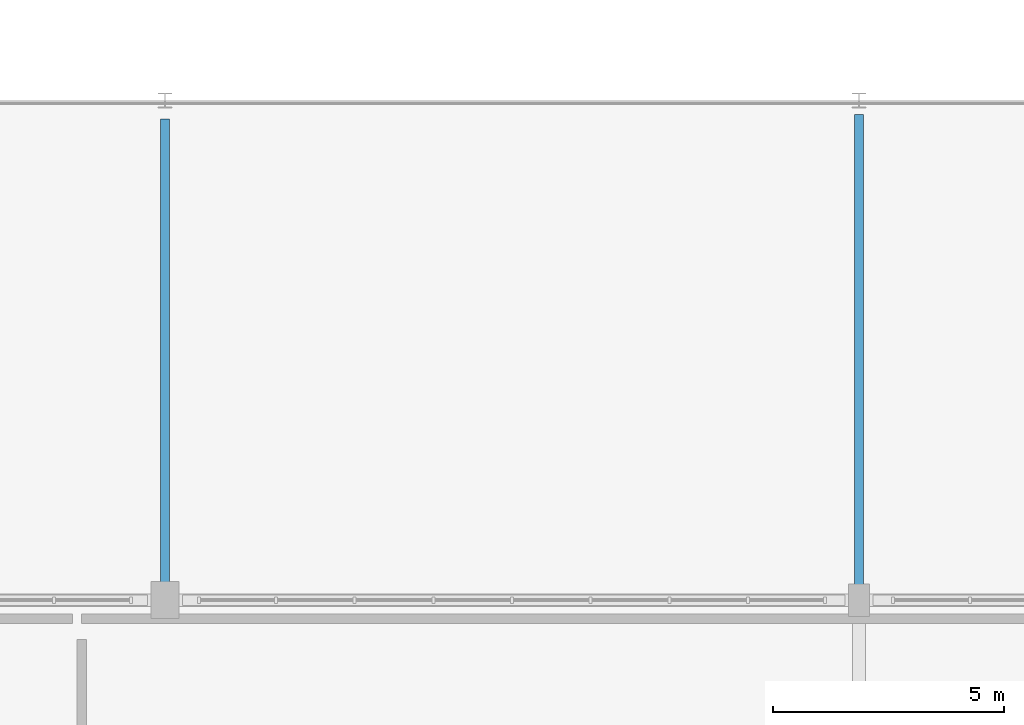
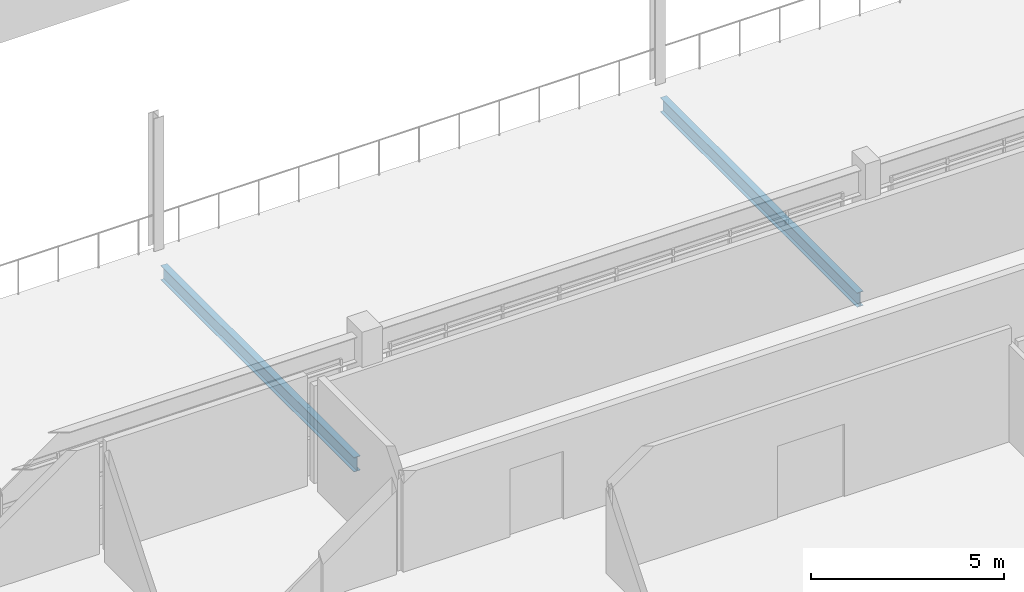
# One storey, part 12 of 92: 2 beams.
"""IFC4 building model written with IfcOpenShell, lengths in metres."""

from ifc_helpers import new_model, si_unit, direction, frame, origin, origin_2d, place, context, subcontext, project, spatial, i_section, extrude, material, material_profile, profile_set, type_object, element, save


model = new_model("IFC4")

# Units and contexts
model_context = context("Model", 3, precision=1e-05, world=origin(), true_north=direction((0.0, 1.0)))
body_context = subcontext(model_context, "Body", "Model", "MODEL_VIEW")
ifc_project = project(units=[si_unit("LENGTHUNIT", "METRE"), si_unit("AREAUNIT", "SQUARE_METRE"), si_unit("VOLUMEUNIT", "CUBIC_METRE"), si_unit("PLANEANGLEUNIT", "RADIAN"), si_unit("MASSUNIT", "GRAM", prefix="KILO")], contexts=[model_context])

# Site, building, storey
site_placement = place(None, origin())
site = spatial("IfcSite", under=ifc_project, at=site_placement, CompositionType="ELEMENT")
building_placement = place(site_placement, origin())
building = spatial("IfcBuilding", under=site, at=building_placement, Name="Solanera Park Tramway Depot", CompositionType="ELEMENT")
storey_placement = place(building_placement, frame((0.0, 0.0, 4.800048828125)))
storey = spatial("IfcBuildingStorey", under=building, at=storey_placement, Name="L01", CompositionType="ELEMENT", Elevation=4.800048828125)

# Beams
ifc_material = material(Name="Steel AS/NZS 3679.1 Grade 350", Category="steel")
ifc_material_profile = material_profile(ifc_material, i_section(OverallWidth=0.1904296875, OverallDepth=0.45751953125, WebThickness=0.009033203125, FlangeThickness=0.014404296875, at=origin_2d()), Name="460UB74.6")
ifc_profile_set = profile_set([ifc_material_profile], Name="Steel AS/NZS 3679.1 Grade 350")
beam_type = type_object("IfcBeamType", Name="Steel Beam 460UB74.6", PredefinedType="BEAM", material=ifc_profile_set)
beam_1_placement = place(storey_placement, frame((15.0, 32.77490234375, -0.53271484375), z_axis=(0.0, 1.0, 0.0), x_axis=(-1.0, 0.0, 0.0)))
element("IfcBeam", 1, at=beam_1_placement, inside=storey, type_object=beam_type, Name="L01 Primary Y-Girder 460UB74.6 #0042", PredefinedType="BEAM", context=body_context, shape_type="SweptSolid", body=[
    extrude(i_section(OverallWidth=0.1904296875, OverallDepth=0.45751953125, WebThickness=0.009033203125, FlangeThickness=0.014404296875, at=origin_2d()), origin(), (0.0, 0.0, 1.0), 10.025146484375),
])
beam_2_placement = place(storey_placement, frame((30.0, 32.699951171875, -0.53271484375), z_axis=(0.0, 1.0, 0.0), x_axis=(-1.0, 0.0, 0.0)))
element("IfcBeam", 2, at=beam_2_placement, inside=storey, type_object=beam_type, Name="L01 Primary Y-Girder 460UB74.6 #0044", PredefinedType="BEAM", context=body_context, shape_type="SweptSolid", body=[
    extrude(i_section(OverallWidth=0.1904296875, OverallDepth=0.45751953125, WebThickness=0.009033203125, FlangeThickness=0.014404296875, at=origin_2d()), origin(), (0.0, 0.0, 1.0), 10.199951171875),
])

save(model, "model.ifc")
